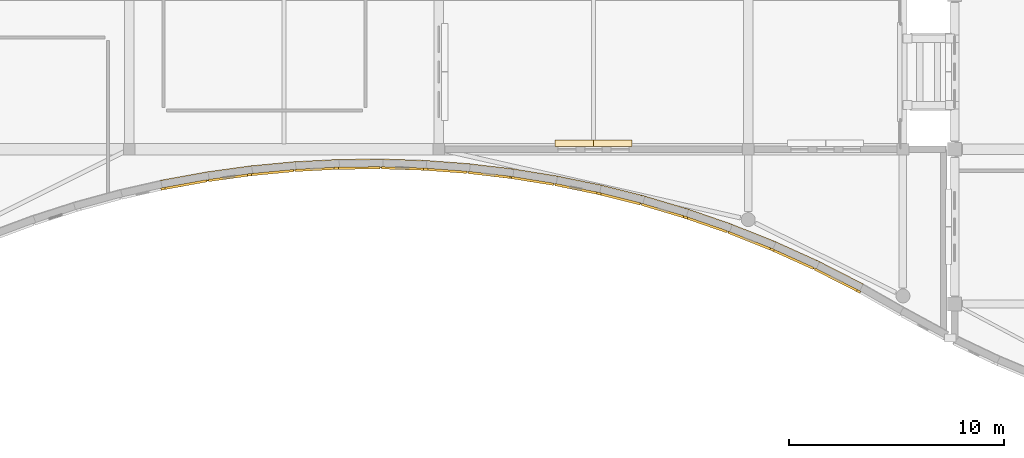
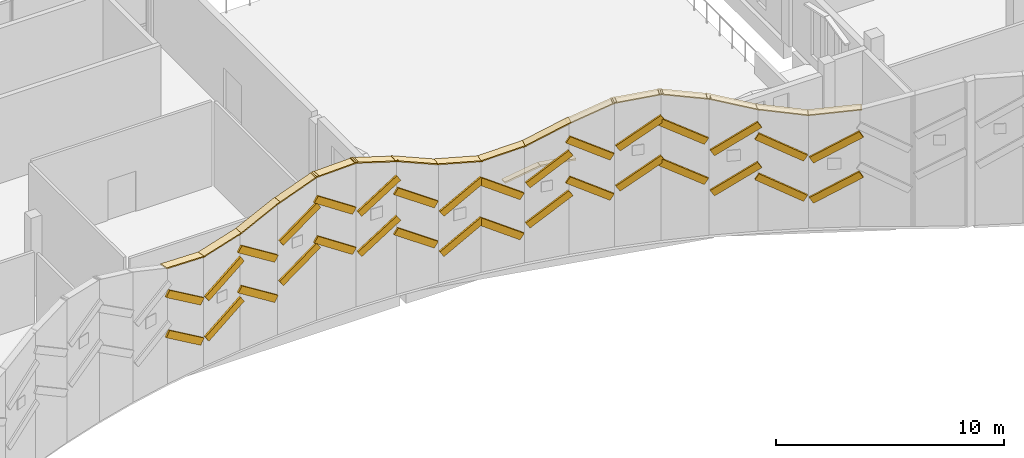
# One storey, part 108 of 116: 50 coverings.
"""IFC4 building model written with IfcOpenShell, lengths in metres."""

from ifc_helpers import new_model, si_unit, direction, frame, origin, place, context, subcontext, project, spatial, polyline, outline, extrude, material, layer, layer_set, type_object, element, save


model = new_model("IFC4")

# Units and contexts
model_context = context("Model", 3, precision=1e-05, world=origin(), true_north=direction((0.0, 1.0)))
body_context = subcontext(model_context, "Body", "Model", "MODEL_VIEW")
ifc_project = project(units=[si_unit("LENGTHUNIT", "METRE"), si_unit("AREAUNIT", "SQUARE_METRE"), si_unit("VOLUMEUNIT", "CUBIC_METRE"), si_unit("PLANEANGLEUNIT", "RADIAN"), si_unit("MASSUNIT", "GRAM", prefix="KILO")], contexts=[model_context])

# Site, building, storey
site_placement = place(None, origin())
site = spatial("IfcSite", under=ifc_project, at=site_placement, CompositionType="ELEMENT")
building_placement = place(site_placement, origin())
building = spatial("IfcBuilding", under=site, at=building_placement, Name="Cendralis Lancet Convention Centre", CompositionType="ELEMENT")
storey_placement = place(building_placement, frame((0.0, 0.0, 15.0)))
storey = spatial("IfcBuildingStorey", under=building, at=storey_placement, Name="L03", CompositionType="ELEMENT", Elevation=15.0)

# Coverings
ifc_material_1 = material(Name="Warm buff sandstone chevron cassette", Category="masonry")
ifc_layer_1 = layer(ifc_material_1, 0.06005859375, Name="Warm buff sandstone chevron cassette")
ifc_layer_set_1 = layer_set([ifc_layer_1], Name="Warm buff sandstone chevron cassette")
covering_type_1 = type_object("IfcCoveringType", Name="ARC-CV-CLAD1", PredefinedType="CLADDING", material=ifc_layer_set_1)
covering_1_placement = place(storey_placement, frame((95.27294921875, 12.5234375, 2.89306640625), z_axis=(0.540218512376, 0.098775845378, 0.835707658967), x_axis=(0.822163228386, 0.149849870904, -0.549174509678)))
element("IfcCovering", 1, at=covering_1_placement, inside=storey, type_object=covering_type_1, Name="L03 Diagonal Stone Chevron Relief CL-ST1 #0287", PredefinedType="CLADDING", context=body_context, shape_type="SweptSolid", body=[
    extrude(outline(polyline([(0.0, 0.0), (2.36727816971473, 1.8106176280507924e-17), (2.3672264781402927, 0.10994732982150186), (-5.1691574437417315e-05, 0.10994732982150184), (0.0, 0.0)])), origin(), (0.0, 0.0, -1.0), 0.360107421875),
])
covering_2_placement = place(storey_placement, frame((97.286865234375, 12.888916015625, 1.60693359375), z_axis=(-0.546765283479, -0.075310335798, 0.833892126179), x_axis=(0.82603341527, 0.114214414067, 0.551927408703)))
element("IfcCovering", 2, at=covering_2_placement, inside=storey, type_object=covering_type_1, Name="L03 Diagonal Stone Chevron Relief CL-ST1 #0293", PredefinedType="CLADDING", context=body_context, shape_type="SweptSolid", body=[
    extrude(outline(polyline([(0.0, 0.0), (2.3555576306989456, -3.366447745567491e-17), (2.3555185123740348, 0.11017558658850715), (0.00013466561092919174, 0.10990034102061025), (0.0, 0.0)])), origin(), (0.0, 0.0, -1.0), 0.360107421875),
])
covering_3_placement = place(storey_placement, frame((99.301025390625, 13.166015625, 3.47705078125), z_axis=(0.551183897876, 0.052844833018, 0.832708673154), x_axis=(0.828960105876, 0.078923824437, -0.553711272056)))
element("IfcCovering", 3, at=covering_3_placement, inside=storey, type_object=covering_type_1, Name="L03 Diagonal Stone Chevron Relief CL-ST1 #0299", PredefinedType="CLADDING", context=body_context, shape_type="SweptSolid", body=[
    extrude(outline(polyline([(0.0, 0.0), (2.3478724781473024, 8.40256683676266e-18), (2.3478215779079266, 0.11012067175197505), (-7.016875120143158e-05, 0.10987763488500937), (0.0, 0.0)])), origin(), (0.0, 0.0, -1.0), 0.360107421875),
])
covering_4_placement = place(storey_placement, frame((101.31591796875, 13.3564453125, 2.89501953125), z_axis=(-0.554363837926, -0.029566071356, 0.831749110384), x_axis=(0.830590287499, 0.043890863692, 0.555151660717)))
element("IfcCovering", 4, at=covering_4_placement, inside=storey, type_object=covering_type_1, Name="L03 Diagonal Stone Chevron Relief CL-ST1 #0305", PredefinedType="CLADDING", context=body_context, shape_type="SweptSolid", body=[
    extrude(outline(polyline([(0.0, 0.0), (2.3417903973232903, 1.5720931501039814e-18), (2.341745651659616, 0.11001941119744647), (-4.474566367464357e-05, 0.11001941119744647), (0.0, 0.0)])), origin(), (0.0, 0.0, -1.0), 0.360107421875),
])
covering_5_placement = place(storey_placement, frame((103.32958984375, 13.46142578125, 4.5419921875), z_axis=(0.555614467531, 0.005556144675, 0.831421489214), x_axis=(0.831376407589, 0.008660177623, -0.555642214224)))
element("IfcCovering", 5, at=covering_5_placement, inside=storey, type_object=covering_type_1, Name="L03 Diagonal Stone Chevron Relief CL-ST1 #0311", PredefinedType="CLADDING", context=body_context, shape_type="SweptSolid", body=[
    extrude(outline(polyline([(0.0, 0.0), (2.3398244143446307, -3.3068166260807885e-18), (2.339760986095707, 0.10987002348181216), (0.00013954450683504357, 0.10986751188847568), (0.0, 0.0)])), origin(), (0.0, 0.0, -1.0), 0.360107421875),
])
covering_6_placement = place(storey_placement, frame((105.343505859375, 13.48095703125, 2.972900390625), z_axis=(-0.55523109858, 0.017890779843, 0.831503666358), x_axis=(0.831088069029, -0.026287701467, 0.55551919703)))
element("IfcCovering", 6, at=covering_6_placement, inside=storey, type_object=covering_type_1, Name="L03 Diagonal Stone Chevron Relief CL-ST1 #0317", PredefinedType="CLADDING", context=body_context, shape_type="SweptSolid", body=[
    extrude(outline(polyline([(0.0, 0.0), (2.340342497780828, -2.6020852139652106e-18), (2.3402950776895706, 0.10991640566800805), (0.00015548226934535957, 0.1099241686054599), (0.0, 0.0)])), origin(), (0.0, 0.0, -1.0), 0.360107421875),
])
covering_7_placement = place(storey_placement, frame((107.357421875, 13.415771484375, 3.593017578125), z_axis=(0.553075734647, -0.041265116059, 0.832108419583), x_axis=(0.829836069915, -0.061453916362, -0.554612940015)))
element("IfcCovering", 7, at=covering_7_placement, inside=storey, type_object=covering_type_1, Name="L03 Diagonal Stone Chevron Relief CL-ST1 #0323", PredefinedType="CLADDING", context=body_context, shape_type="SweptSolid", body=[
    extrude(outline(polyline([(0.0, 0.0), (2.343963790342994, -1.4148838350935833e-17), (2.344115552533026, 0.10993284937089597), (-5.083450672504434e-05, 0.10991477747427505), (0.0, 0.0)])), origin(), (0.0, 0.0, -1.0), 0.360107421875),
])
covering_8_placement = place(storey_placement, frame((109.370849609375, 13.26513671875, 1.7060546875), z_axis=(-0.548958948721, 0.064943804201, 0.833322491545), x_axis=(0.827675011326, -0.096854482073, 0.552786834982)))
element("IfcCovering", 8, at=covering_8_placement, inside=storey, type_object=covering_type_1, Name="L03 Diagonal Stone Chevron Relief CL-ST1 #0329", PredefinedType="CLADDING", context=body_context, shape_type="SweptSolid", body=[
    extrude(outline(polyline([(0.0, 0.0), (2.351808592127162, -9.107298248878237e-18), (2.351924795162226, 0.1101376709805901), (0.00011620303506416733, 0.1101376709805901), (0.0, 0.0)])), origin(), (0.0, 0.0, -1.0), 0.360107421875),
])
covering_9_placement = place(storey_placement, frame((111.385498046875, 13.028076171875, 2.949951171875), z_axis=(0.543718944741, -0.086848245392, 0.834761697373), x_axis=(0.824218881, -0.132251403169, -0.550611298979)))
element("IfcCovering", 9, at=covering_9_placement, inside=storey, type_object=covering_type_1, Name="L03 Diagonal Stone Chevron Relief CL-ST1 #0335", PredefinedType="CLADDING", context=body_context, shape_type="SweptSolid", body=[
    extrude(outline(polyline([(0.0, 0.0), (2.3610848174231873, 3.198396408832238e-17), (2.361035969167337, 0.10977561554465676), (-8.113619607742067e-05, 0.11001668101012409), (0.0, 0.0)])), origin(), (0.0, 0.0, -1.0), 0.360107421875),
])
covering_10_placement = place(storey_placement, frame((113.39892578125, 12.703369140625, 2.173095703125), z_axis=(-0.53623383123, 0.110043450626, 0.836865411652), x_axis=(0.819829860674, -0.167996232386, 0.547408682294)))
element("IfcCovering", 10, at=covering_10_placement, inside=storey, type_object=covering_type_1, Name="L03 Diagonal Stone Chevron Relief CL-ST1 #0341", PredefinedType="CLADDING", context=body_context, shape_type="SweptSolid", body=[
    extrude(outline(polyline([(0.0, 0.0), (2.374568597966044, 5.838428698834441e-17), (2.374494952697113, 0.10988520753421605), (0.00012650850564823596, 0.10993423804605053), (0.0, 0.0)])), origin(), (0.0, 0.0, -1.0), 0.360107421875),
])
covering_11_placement = place(storey_placement, frame((115.41259765625, 12.289306640625, 4.200927734375), z_axis=(0.527422899245, -0.131553995464, 0.839356081547), x_axis=(0.81430104305, -0.203549740484, -0.543581929829)))
element("IfcCovering", 11, at=covering_11_placement, inside=storey, type_object=covering_type_1, Name="L03 Diagonal Stone Chevron Relief CL-ST1 #0347", PredefinedType="CLADDING", context=body_context, shape_type="SweptSolid", body=[
    extrude(outline(polyline([(0.0, 0.0), (2.3916336375181073, 1.5720931501039814e-18), (2.391586659271256, 0.10995817380137013), (-4.6978246851469424e-05, 0.10995817380137009), (0.0, 0.0)])), origin(), (0.0, 0.0, -1.0), 0.360107421875),
])
covering_12_placement = place(storey_placement, frame((117.42578125, 11.78466796875, 3.30908203125), z_axis=(-0.516107237855, 0.153695898179, 0.84262143927), x_axis=(0.807589879414, -0.240436015688, 0.538506368605)))
element("IfcCovering", 12, at=covering_12_placement, inside=storey, type_object=covering_type_1, Name="L03 Diagonal Stone Chevron Relief CL-ST1 #0353", PredefinedType="CLADDING", context=body_context, shape_type="SweptSolid", body=[
    extrude(outline(polyline([(0.0, 0.0), (2.413652810787318, -1.290742686343993e-16), (2.4137286739873107, 0.11007057012615422), (-6.260209876843281e-05, 0.1097669123276708), (0.0, 0.0)])), origin(), (0.0, 0.0, -1.0), 0.360107421875),
])
covering_13_placement = place(storey_placement, frame((119.440185546875, 11.18359375, 4.406982421875), z_axis=(0.503700474187, -0.174813693983, 0.846005912923), x_axis=(0.799454346081, -0.27676501759, -0.533173399159)))
element("IfcCovering", 13, at=covering_13_placement, inside=storey, type_object=covering_type_1, Name="L03 Diagonal Stone Chevron Relief CL-ST1 #0359", PredefinedType="CLADDING", context=body_context, shape_type="SweptSolid", body=[
    extrude(outline(polyline([(0.0, 0.0), (2.4382251851197183, -4.2392304944183223e-17), (2.4383946457506482, 0.10987099983241229), (-2.5718652781586693e-05, 0.10979108019061262), (0.0, 0.0)])), origin(), (0.0, 0.0, -1.0), 0.360107421875),
])
covering_14_placement = place(storey_placement, frame((121.453369140625, 10.485107421875, 2.448974609375), z_axis=(-0.489239124765, 0.194643522756, 0.850152326262), x_axis=(0.78997924583, -0.314152468909, 0.526536814892)))
element("IfcCovering", 14, at=covering_14_placement, inside=storey, type_object=covering_type_1, Name="L03 Diagonal Stone Chevron Relief CL-ST1 #0365", PredefinedType="CLADDING", context=body_context, shape_type="SweptSolid", body=[
    extrude(outline(polyline([(0.0, 0.0), (2.468997833974073, 1.5582695724047912e-16), (2.4690702581880943, 0.11012065401670039), (-4.3744432687425894e-05, 0.10980357161026215), (0.0, 0.0)])), origin(), (0.0, 0.0, -1.0), 0.360107421875),
])
covering_15_placement = place(storey_placement, frame((123.46630859375, 9.68310546875, 3.125), z_axis=(0.472534157954, -0.214369154584, 0.854843456505), x_axis=(0.779156200712, -0.351672677385, -0.518885288743)))
element("IfcCovering", 15, at=covering_15_placement, inside=storey, type_object=covering_type_1, Name="L03 Diagonal Stone Chevron Relief CL-ST1 #0371", PredefinedType="CLADDING", context=body_context, shape_type="SweptSolid", body=[
    extrude(outline(polyline([(0.0, 0.0), (2.505464803741935, 6.743737512859838e-17), (2.505644797786033, 0.10991628941852379), (0.00017999404409795722, 0.1099162894185237), (0.0, 0.0)])), origin(), (0.0, 0.0, -1.0), 0.360107421875),
])
covering_16_placement = place(storey_placement, frame((125.4794921875, 8.772705078125, 1.698974609375), z_axis=(-0.454427385646, 0.231180016638, 0.86026248964), x_axis=(0.766548339773, -0.390455174818, 0.509851350149)))
element("IfcCovering", 16, at=covering_16_placement, inside=storey, type_object=covering_type_1, Name="L03 Diagonal Stone Chevron Relief CL-ST1 #0377", PredefinedType="CLADDING", context=body_context, shape_type="SweptSolid", body=[
    extrude(outline(polyline([(0.0, 0.0), (2.5498585572938635, -5.128276275856436e-17), (2.54981054367365, 0.10984075325757975), (-4.8013620213734065e-05, 0.10984075325757978), (0.0, 0.0)])), origin(), (0.0, 0.0, -1.0), 0.360107421875),
])
for number, where, z_axis, x_axis, name in (
    (17, (113.39990234375, 14.820068359375, 3.27001953125), (-0.146387299434, 0.0, 0.989227354335), (0.0, -1.0, 0.0), "L03 Gothic Pointed Lancet Hood-Mould #0297L"),
    (18, (115.2099609375, 14.820068359375, 3.534912109375), (0.146387299434, 0.0, 0.989227354335), (0.0, -1.0, 0.0), "L03 Gothic Pointed Lancet Hood-Mould #0298R"),
):
    element("IfcCovering", number, at=place(storey_placement, frame(where, z_axis=z_axis, x_axis=x_axis)), inside=storey, type_object=covering_type_1, Name=name, PredefinedType="CLADDING", context=body_context, shape_type="SweptSolid", body=[
        extrude(outline(polyline([(0.0, 0.0), (0.28515625, 0.0), (0.28515625, 1.8095325151048234), (0.0, 1.8095325151048234), (0.0, 0.0)])), origin(), (0.0, 0.0, -1.0), 0.090087890625),
    ])
ifc_material_2 = material(Name="Dark Andean slate chevron cassette", Category="masonry")
ifc_layer_2 = layer(ifc_material_2, 0.06005859375, Name="Dark Andean slate chevron cassette")
ifc_layer_set_2 = layer_set([ifc_layer_2], Name="Dark Andean slate chevron cassette")
covering_type_2 = type_object("IfcCoveringType", Name="ARC-CV-CLAD2", PredefinedType="CLADDING", material=ifc_layer_set_2)
covering_17_placement = place(storey_placement, frame((95.141845703125, 12.54541015625, 6.27685546875), z_axis=(0.156219684707, 0.028483317218, 0.987311557083), x_axis=(0.971320294155, 0.176977391995, -0.158795116065)))
element("IfcCovering", 19, at=covering_17_placement, inside=storey, type_object=covering_type_2, Name="Wave Ribbon Sinusoidal Slate Coping W-047", PredefinedType="CLADDING", context=body_context, shape_type="SweptSolid", body=[
    extrude(outline(polyline([(0.0, 0.0), (2.2568679601809736, 2.0159384144652348e-17), (2.2569360990131475, 0.4198741737421693), (-0.00016899991151626825, 0.41991793712989467), (0.0, 0.0)])), origin(), (0.0, 0.0, -1.0), 0.06005859375),
])
covering_18_placement = place(storey_placement, frame((95.27294921875, 12.5234375, 5.04296875), z_axis=(0.540218512376, 0.098775845378, 0.835707658967), x_axis=(0.822163228386, 0.149849870904, -0.549174509678)))
element("IfcCovering", 20, at=covering_18_placement, inside=storey, type_object=covering_type_2, Name="L03 Diagonal Stone Chevron Relief CL-ST2 #0288", PredefinedType="CLADDING", context=body_context, shape_type="SweptSolid", body=[
    extrude(outline(polyline([(0.0, 0.0), (2.36727816971473, 1.8106176280507924e-17), (2.3672264781402927, 0.10994732982150186), (-5.1691574437417315e-05, 0.10994732982150184), (0.0, 0.0)])), origin(), (0.0, 0.0, -1.0), 0.360107421875),
])
covering_19_placement = place(storey_placement, frame((97.156982421875, 12.91650390625, 5.917236328125), z_axis=(-0.171569444286, -0.023761965288, 0.984885422165), x_axis=(0.975606701288, 0.134873499889, 0.173207111371)))
element("IfcCovering", 21, at=covering_19_placement, inside=storey, type_object=covering_type_2, Name="Wave Ribbon Sinusoidal Slate Coping W-048", PredefinedType="CLADDING", context=body_context, shape_type="SweptSolid", body=[
    extrude(outline(polyline([(0.0, 0.0), (2.2482003988942822, -6.12777515361651e-17), (2.248098168012032, 0.4199865832242709), (-0.00010223088225006643, 0.41998658322427096), (0.0, 0.0)])), origin(), (0.0, 0.0, -1.0), 0.06005859375),
])
covering_20_placement = place(storey_placement, frame((97.286865234375, 12.888916015625, 3.757080078125), z_axis=(-0.546693876883, -0.075300500399, 0.833939829735), x_axis=(0.826080669252, 0.114220947803, 0.551855327936)))
element("IfcCovering", 22, at=covering_20_placement, inside=storey, type_object=covering_type_2, Name="L03 Diagonal Stone Chevron Relief CL-ST2 #0294", PredefinedType="CLADDING", context=body_context, shape_type="SweptSolid", body=[
    extrude(outline(polyline([(0.0, 0.0), (2.3554228965692516, -1.9895109865109006e-17), (2.3553837760063394, 0.11017558659163833), (0.00013467331439465276, 0.10990034101510618), (0.0, 0.0)])), origin(), (0.0, 0.0, -1.0), 0.360107421875),
])
covering_21_placement = place(storey_placement, frame((99.17236328125, 13.198974609375, 6.25146484375), z_axis=(-0.362360837192, -0.034606306589, 0.931395204633), x_axis=(0.92719275626, 0.088377733663, 0.364009572582)))
element("IfcCovering", 23, at=covering_21_placement, inside=storey, type_object=covering_type_2, Name="Wave Ribbon Sinusoidal Slate Coping W-049", PredefinedType="CLADDING", context=body_context, shape_type="SweptSolid", body=[
    extrude(outline(polyline([(0.0, 0.0), (2.367452046020142, -2.225324959026498e-17), (2.3674936135886564, 0.41985891451669155), (-0.00018479785049476533, 0.4198820862999436), (0.0, 0.0)])), origin(), (0.0, 0.0, -1.0), 0.06005859375),
])
covering_22_placement = place(storey_placement, frame((99.301025390625, 13.166015625, 5.626953125), z_axis=(0.551183897876, 0.052844833018, 0.832708673154), x_axis=(0.828960105876, 0.078923824437, -0.553711272056)))
element("IfcCovering", 24, at=covering_22_placement, inside=storey, type_object=covering_type_2, Name="L03 Diagonal Stone Chevron Relief CL-ST2 #0300", PredefinedType="CLADDING", context=body_context, shape_type="SweptSolid", body=[
    extrude(outline(polyline([(0.0, 0.0), (2.3478724781473024, 8.40256683676266e-18), (2.3478215779079266, 0.11012067175197505), (-7.016875120143158e-05, 0.10987763488500937), (0.0, 0.0)])), origin(), (0.0, 0.0, -1.0), 0.360107421875),
])
covering_23_placement = place(storey_placement, frame((101.188720703125, 13.394775390625, 7.043701171875), z_axis=(-0.307715443963, -0.01629924645, 0.951338814572), x_axis=(0.95001366577, 0.050195382785, 0.308146813057)))
element("IfcCovering", 25, at=covering_23_placement, inside=storey, type_object=covering_type_2, Name="Wave Ribbon Sinusoidal Slate Coping W-050", PredefinedType="CLADDING", context=body_context, shape_type="SweptSolid", body=[
    extrude(outline(polyline([(0.0, 0.0), (2.3103080490649397, 2.2158381900172497e-18), (2.310255418215391, 0.4200215742785348), (-5.2630849548835484e-05, 0.4200215742785348), (0.0, 0.0)])), origin(), (0.0, 0.0, -1.0), 0.06005859375),
])
covering_24_placement = place(storey_placement, frame((101.31591796875, 13.3564453125, 5.044921875), z_axis=(-0.554363837926, -0.029566071356, 0.831749110384), x_axis=(0.830590287499, 0.043890863692, 0.555151660717)))
element("IfcCovering", 26, at=covering_24_placement, inside=storey, type_object=covering_type_2, Name="L03 Diagonal Stone Chevron Relief CL-ST2 #0306", PredefinedType="CLADDING", context=body_context, shape_type="SweptSolid", body=[
    extrude(outline(polyline([(0.0, 0.0), (2.3417903973232903, 1.5720931501039814e-18), (2.341745651659616, 0.11001941119744647), (-4.474566367464357e-05, 0.11001941119744647), (0.0, 0.0)])), origin(), (0.0, 0.0, -1.0), 0.360107421875),
])
covering_25_placement = place(storey_placement, frame((103.204345703125, 13.505126953125, 7.7216796875), z_axis=(-0.022792174933, -0.000238453443, 0.999740196202), x_axis=(0.999686718568, 0.010340436528, 0.022793422098)))
element("IfcCovering", 27, at=covering_25_placement, inside=storey, type_object=covering_type_2, Name="Wave Ribbon Sinusoidal Slate Coping W-051", PredefinedType="CLADDING", context=body_context, shape_type="SweptSolid", body=[
    extrude(outline(polyline([(0.0, 0.0), (2.1957562497004535, -5.474532756782153e-18), (2.195707795191472, 0.4201889934818078), (-5.0979029618748034e-05, 0.4199448659164207), (0.0, 0.0)])), origin(), (0.0, 0.0, -1.0), 0.06005859375),
])
covering_26_placement = place(storey_placement, frame((103.32958984375, 13.46142578125, 6.69189453125), z_axis=(0.555542334498, 0.005555423345, 0.831469693887), x_axis=(0.831424609642, 0.008660679726, -0.555570077585)))
element("IfcCovering", 28, at=covering_26_placement, inside=storey, type_object=covering_type_2, Name="L03 Diagonal Stone Chevron Relief CL-ST2 #0312", PredefinedType="CLADDING", context=body_context, shape_type="SweptSolid", body=[
    extrude(outline(polyline([(0.0, 0.0), (2.339688774196725, 3.198396408832238e-18), (2.3396253422701276, 0.10987002348512424), (0.00013955259724095573, 0.10986751188363503), (0.0, 0.0)])), origin(), (0.0, 0.0, -1.0), 0.360107421875),
])
covering_27_placement = place(storey_placement, frame((105.22021484375, 13.52978515625, 7.798095703125), z_axis=(0.279724779024, -0.008784610682, 0.96004004011), x_axis=(0.959561354297, -0.030313172903, -0.279862678626)))
element("IfcCovering", 29, at=covering_27_placement, inside=storey, type_object=covering_type_2, Name="Wave Ribbon Sinusoidal Slate Coping W-052", PredefinedType="CLADDING", context=body_context, shape_type="SweptSolid", body=[
    extrude(outline(polyline([(0.0, 0.0), (2.2873206688462857, -2.398119680266375e-17), (2.2872493721937537, 0.4198847494133784), (-7.869732951015784e-05, 0.42012876841899444), (0.0, 0.0)])), origin(), (0.0, 0.0, -1.0), 0.06005859375),
])
covering_28_placement = place(storey_placement, frame((105.343505859375, 13.48095703125, 5.123046875), z_axis=(-0.55523109858, 0.017890779843, 0.831503666358), x_axis=(0.831088069029, -0.026287701467, 0.55551919703)))
element("IfcCovering", 30, at=covering_28_placement, inside=storey, type_object=covering_type_2, Name="L03 Diagonal Stone Chevron Relief CL-ST2 #0318", PredefinedType="CLADDING", context=body_context, shape_type="SweptSolid", body=[
    extrude(outline(polyline([(0.0, 0.0), (2.340342497780828, -2.6020852139652106e-18), (2.3402950776895706, 0.10991640566800805), (0.00015548226934535957, 0.1099241686054599), (0.0, 0.0)])), origin(), (0.0, 0.0, -1.0), 0.360107421875),
])
covering_29_placement = place(storey_placement, frame((107.23583984375, 13.469970703125, 7.224609375), z_axis=(0.360698069721, -0.026905217322, 0.932294487692), x_axis=(0.92974611638, -0.068885405886, -0.361700096672)))
element("IfcCovering", 31, at=covering_29_placement, inside=storey, type_object=covering_type_2, Name="Wave Ribbon Sinusoidal Slate Coping W-053", PredefinedType="CLADDING", context=body_context, shape_type="SweptSolid", body=[
    extrude(outline(polyline([(0.0, 0.0), (2.3604079000293954, -6.044427111606687e-18), (2.360603248270679, 0.42010915153658257), (0.0001953482412834981, 0.4201091515365825), (0.0, 0.0)])), origin(), (0.0, 0.0, -1.0), 0.06005859375),
])
covering_30_placement = place(storey_placement, frame((107.357421875, 13.415771484375, 5.742919921875), z_axis=(0.553003812532, -0.041259749933, 0.832156485501), x_axis=(0.829884004563, -0.061457466184, -0.554540817994)))
element("IfcCovering", 32, at=covering_30_placement, inside=storey, type_object=covering_type_2, Name="L03 Diagonal Stone Chevron Relief CL-ST2 #0324", PredefinedType="CLADDING", context=body_context, shape_type="SweptSolid", body=[
    extrude(outline(polyline([(0.0, 0.0), (2.3438283897457315, 5.854691731421724e-18), (2.3439801607024053, 0.10993284936418482), (-5.083744287736475e-05, 0.10991477747830948), (0.0, 0.0)])), origin(), (0.0, 0.0, -1.0), 0.360107421875),
])
covering_31_placement = place(storey_placement, frame((109.251953125, 13.324462890625, 6.427978515625), z_axis=(0.191546979341, -0.022429388682, 0.981227128258), x_axis=(0.974577166348, -0.114043957619, -0.192855703997)))
element("IfcCovering", 33, at=covering_31_placement, inside=storey, type_object=covering_type_2, Name="Wave Ribbon Sinusoidal Slate Coping W-054", PredefinedType="CLADDING", context=body_context, shape_type="SweptSolid", body=[
    extrude(outline(polyline([(0.0, 0.0), (2.252078434153358, -2.452668602069552e-17), (2.252109770495088, 0.4198412429062734), (3.133634172941546e-05, 0.4198412429062734), (0.0, 0.0)])), origin(), (0.0, 0.0, -1.0), 0.06005859375),
])
covering_32_placement = place(storey_placement, frame((109.370849609375, 13.26513671875, 3.85595703125), z_axis=(-0.548958948721, 0.064943804201, 0.833322491545), x_axis=(0.827675011326, -0.096854482073, 0.552786834982)))
element("IfcCovering", 34, at=covering_32_placement, inside=storey, type_object=covering_type_2, Name="L03 Diagonal Stone Chevron Relief CL-ST2 #0330", PredefinedType="CLADDING", context=body_context, shape_type="SweptSolid", body=[
    extrude(outline(polyline([(0.0, 0.0), (2.351808592127162, -9.107298248878237e-18), (2.351924795162226, 0.1101376709805901), (0.00011620303506416733, 0.1101376709805901), (0.0, 0.0)])), origin(), (0.0, 0.0, -1.0), 0.360107421875),
])
covering_33_placement = place(storey_placement, frame((111.269287109375, 13.09228515625, 5.999267578125), z_axis=(-0.136949551219, 0.021965128138, 0.990334465505), x_axis=(0.977810738668, -0.156998450459, 0.138699841018)))
element("IfcCovering", 35, at=covering_33_placement, inside=storey, type_object=covering_type_2, Name="Wave Ribbon Sinusoidal Slate Coping W-055", PredefinedType="CLADDING", context=body_context, shape_type="SweptSolid", body=[
    extrude(outline(polyline([(0.0, 0.0), (2.2423861345212033, -1.2431902566851366e-16), (2.2424354422179595, 0.42011557823178786), (-0.00018941562811351786, 0.4200768752199956), (0.0, 0.0)])), origin(), (0.0, 0.0, -1.0), 0.06005859375),
])
covering_34_placement = place(storey_placement, frame((111.385498046875, 13.028076171875, 5.10009765625), z_axis=(0.543718944741, -0.086848245392, 0.834761697373), x_axis=(0.824218881, -0.132251403169, -0.550611298979)))
element("IfcCovering", 36, at=covering_34_placement, inside=storey, type_object=covering_type_2, Name="L03 Diagonal Stone Chevron Relief CL-ST2 #0336", PredefinedType="CLADDING", context=body_context, shape_type="SweptSolid", body=[
    extrude(outline(polyline([(0.0, 0.0), (2.3610848174231873, 3.198396408832238e-17), (2.361035969167337, 0.10977561554465676), (-8.113619607742067e-05, 0.11001668101012409), (0.0, 0.0)])), origin(), (0.0, 0.0, -1.0), 0.360107421875),
])
covering_35_placement = place(storey_placement, frame((113.285400390625, 12.772705078125, 6.260009765625), z_axis=(-0.342949469113, 0.070421671402, 0.936710440762), x_axis=(0.917632966477, -0.1880856253, 0.350105036224)))
element("IfcCovering", 37, at=covering_35_placement, inside=storey, type_object=covering_type_2, Name="Wave Ribbon Sinusoidal Slate Coping W-056", PredefinedType="CLADDING", context=body_context, shape_type="SweptSolid", body=[
    extrude(outline(polyline([(0.0, 0.0), (2.3883736425016493, -2.4245471082207093e-17), (2.3885144451800233, 0.41996024501248314), (0.00014080267837426885, 0.4199602450124831), (0.0, 0.0)])), origin(), (0.0, 0.0, -1.0), 0.06005859375),
])
covering_36_placement = place(storey_placement, frame((113.39892578125, 12.703369140625, 4.322998046875), z_axis=(-0.536304363966, 0.110057925032, 0.83681830903), x_axis=(0.819783716895, -0.167986776787, 0.5474806849)))
element("IfcCovering", 38, at=covering_36_placement, inside=storey, type_object=covering_type_2, Name="L03 Diagonal Stone Chevron Relief CL-ST2 #0342", PredefinedType="CLADDING", context=body_context, shape_type="SweptSolid", body=[
    extrude(outline(polyline([(0.0, 0.0), (2.374702245821043, 6.830473686658678e-18), (2.3746286046973313, 0.10988520753186476), (0.0001265013852954841, 0.10993423804911716), (0.0, 0.0)])), origin(), (0.0, 0.0, -1.0), 0.360107421875),
])
covering_37_placement = place(storey_placement, frame((115.30224609375, 12.36328125, 7.027099609375), z_axis=(-0.308944364261, 0.077212945698, 0.947940684225), x_axis=(0.919649605897, -0.229861138978, 0.318446948741)))
element("IfcCovering", 39, at=covering_37_placement, inside=storey, type_object=covering_type_2, Name="Wave Ribbon Sinusoidal Slate Coping W-057", PredefinedType="CLADDING", context=body_context, shape_type="SweptSolid", body=[
    extrude(outline(polyline([(0.0, 0.0), (2.3812748684737164, -2.925990612995255e-17), (2.381239625481773, 0.41999638647210163), (2.0875450189528078e-05, 0.4197595320612644), (0.0, 0.0)])), origin(), (0.0, 0.0, -1.0), 0.06005859375),
])
covering_38_placement = place(storey_placement, frame((115.41259765625, 12.289306640625, 6.35107421875), z_axis=(0.527422899245, -0.131553995464, 0.839356081547), x_axis=(0.81430104305, -0.203549740484, -0.543581929829)))
element("IfcCovering", 40, at=covering_38_placement, inside=storey, type_object=covering_type_2, Name="L03 Diagonal Stone Chevron Relief CL-ST2 #0348", PredefinedType="CLADDING", context=body_context, shape_type="SweptSolid", body=[
    extrude(outline(polyline([(0.0, 0.0), (2.3916336375181073, 1.5720931501039814e-18), (2.391586659271256, 0.10995817380137013), (-4.6978246851469424e-05, 0.10995817380137009), (0.0, 0.0)])), origin(), (0.0, 0.0, -1.0), 0.360107421875),
])
covering_39_placement = place(storey_placement, frame((117.318603515625, 11.86328125, 7.747314453125), z_axis=(-0.056245392842, 0.016764469728, 0.998276218458), x_axis=(0.956821793989, -0.284688362392, 0.058690636953)))
element("IfcCovering", 41, at=covering_39_placement, inside=storey, type_object=covering_type_2, Name="Wave Ribbon Sinusoidal Slate Coping W-058", PredefinedType="CLADDING", context=body_context, shape_type="SweptSolid", body=[
    extrude(outline(polyline([(0.0, 0.0), (2.2880003486051517, -8.057316207461807e-17), (2.288085405066114, 0.42005541272936947), (0.00031865553176012307, 0.42012503712860144), (0.0, 0.0)])), origin(), (0.0, 0.0, -1.0), 0.06005859375),
])
covering_40_placement = place(storey_placement, frame((117.42578125, 11.78466796875, 5.458984375), z_axis=(-0.516176060511, 0.153716393454, 0.842575542571), x_axis=(0.807545890848, -0.240422919393, 0.538578178174)))
element("IfcCovering", 42, at=covering_40_placement, inside=storey, type_object=covering_type_2, Name="L03 Diagonal Stone Chevron Relief CL-ST2 #0354", PredefinedType="CLADDING", context=body_context, shape_type="SweptSolid", body=[
    extrude(outline(polyline([(0.0, 0.0), (2.413784294605301, 1.5178830414797062e-16), (2.413860153673085, 0.11007057012663117), (-6.259868891902651e-05, 0.10976691232723765), (0.0, 0.0)])), origin(), (0.0, 0.0, -1.0), 0.360107421875),
])
covering_41_placement = place(storey_placement, frame((119.336669921875, 11.266845703125, 7.90087890625), z_axis=(0.229158055108, -0.079345624247, 0.970149915061), x_axis=(0.916770853431, -0.317367389945, -0.242505963017)))
element("IfcCovering", 43, at=covering_41_placement, inside=storey, type_object=covering_type_2, Name="Wave Ribbon Sinusoidal Slate Coping W-059", PredefinedType="CLADDING", context=body_context, shape_type="SweptSolid", body=[
    extrude(outline(polyline([(0.0, 0.0), (2.383961997504534, 1.3574211199518516e-16), (2.383987049856093, 0.4200953627837032), (2.5052351559029518e-05, 0.4200953627837032), (0.0, 0.0)])), origin(), (0.0, 0.0, -1.0), 0.06005859375),
])
covering_42_placement = place(storey_placement, frame((119.440185546875, 11.18359375, 6.556884765625), z_axis=(0.50363276707, -0.17479019563, 0.846051076144), x_axis=(0.799497024174, -0.276779792418, -0.533101730297)))
element("IfcCovering", 44, at=covering_42_placement, inside=storey, type_object=covering_type_2, Name="L03 Diagonal Stone Chevron Relief CL-ST2 #0360", PredefinedType="CLADDING", context=body_context, shape_type="SweptSolid", body=[
    extrude(outline(polyline([(0.0, 0.0), (2.438095019372889, -2.3852447794681098e-17), (2.4382644890506167, 0.10987099982308354), (-2.572002543987581e-05, 0.10979108019491948), (0.0, 0.0)])), origin(), (0.0, 0.0, -1.0), 0.360107421875),
])
covering_43_placement = place(storey_placement, frame((121.353759765625, 10.572998046875, 7.383056640625), z_axis=(0.318860929576, -0.126726779703, 0.939291238592), x_axis=(0.872828537865, -0.347042326869, -0.343120921614)))
element("IfcCovering", 45, at=covering_43_placement, inside=storey, type_object=covering_type_2, Name="Wave Ribbon Sinusoidal Slate Coping W-060", PredefinedType="CLADDING", context=body_context, shape_type="SweptSolid", body=[
    extrude(outline(polyline([(0.0, 0.0), (2.500919303844315, -9.096456227153382e-17), (2.5009677094639557, 0.4201274234101967), (-0.00016468728511154218, 0.4200372240873222), (0.0, 0.0)])), origin(), (0.0, 0.0, -1.0), 0.06005859375),
])
covering_44_placement = place(storey_placement, frame((121.453369140625, 10.485107421875, 4.59912109375), z_axis=(-0.489172715453, 0.194617101847, 0.850196587928), x_axis=(0.790020374691, -0.314168824697, 0.526465342792)))
element("IfcCovering", 46, at=covering_44_placement, inside=storey, type_object=covering_type_2, Name="L03 Diagonal Stone Chevron Relief CL-ST2 #0366", PredefinedType="CLADDING", context=body_context, shape_type="SweptSolid", body=[
    extrude(outline(polyline([(0.0, 0.0), (2.4688692906484135, 3.1929753979698106e-17), (2.468941718633108, 0.11012065401581408), (-4.3746710128272914e-05, 0.10980357161095342), (0.0, 0.0)])), origin(), (0.0, 0.0, -1.0), 0.360107421875),
])
covering_45_placement = place(storey_placement, frame((123.37109375, 9.775390625, 6.5810546875), z_axis=(0.187389541208, -0.084552359952, 0.978639902248), x_axis=(0.891995480467, -0.402591755437, -0.205581957574)))
element("IfcCovering", 47, at=covering_45_placement, inside=storey, type_object=covering_type_2, Name="Wave Ribbon Sinusoidal Slate Coping W-061", PredefinedType="CLADDING", context=body_context, shape_type="SweptSolid", body=[
    extrude(outline(polyline([(0.0, 0.0), (2.4438867402811186, 2.490276864927643e-17), (2.443952396444452, 0.42002746098434773), (-0.00015211617076543726, 0.41992702768457635), (0.0, 0.0)])), origin(), (0.0, 0.0, -1.0), 0.06005859375),
])
covering_46_placement = place(storey_placement, frame((123.46630859375, 9.68310546875, 5.27490234375), z_axis=(0.4724693065, -0.214339734168, 0.854886678322), x_axis=(0.779195595592, -0.351690458291, -0.518814075905)))
element("IfcCovering", 48, at=covering_46_placement, inside=storey, type_object=covering_type_2, Name="L03 Diagonal Stone Chevron Relief CL-ST2 #0372", PredefinedType="CLADDING", context=body_context, shape_type="SweptSolid", body=[
    extrude(outline(polyline([(0.0, 0.0), (2.505338131455992, -1.1275702593849246e-16), (2.5055181346007602, 0.10991628940362053), (0.00018000314476853546, 0.10991628940362048), (0.0, 0.0)])), origin(), (0.0, 0.0, -1.0), 0.360107421875),
])
covering_47_placement = place(storey_placement, frame((125.388427734375, 8.86962890625, 6.089599609375), z_axis=(-0.082777328523, 0.042185379169, 0.995674800157), x_axis=(0.887211382131, -0.451911796102, 0.092906899424)))
element("IfcCovering", 49, at=covering_47_placement, inside=storey, type_object=covering_type_2, Name="Wave Ribbon Sinusoidal Slate Coping W-062", PredefinedType="CLADDING", context=body_context, shape_type="SweptSolid", body=[
    extrude(outline(polyline([(0.0, 0.0), (2.4543087526812064, -2.6600222675574048e-17), (2.4544511398435613, 0.41982141468788403), (3.2057134009499944e-05, 0.42003895975637423), (0.0, 0.0)])), origin(), (0.0, 0.0, -1.0), 0.06005859375),
])
covering_48_placement = place(storey_placement, frame((125.4794921875, 8.772705078125, 3.84912109375), z_axis=(-0.45436422615, 0.231147885622, 0.86030448387), x_axis=(0.766585759284, -0.390474235118, 0.509780487438)))
element("IfcCovering", 50, at=covering_48_placement, inside=storey, type_object=covering_type_2, Name="L03 Diagonal Stone Chevron Relief CL-ST2 #0378", PredefinedType="CLADDING", context=body_context, shape_type="SweptSolid", body=[
    extrude(outline(polyline([(0.0, 0.0), (2.549734090516603, 2.4123498337802474e-17), (2.5496860745525765, 0.1098407532565551), (-4.8015964026995595e-05, 0.10984075325655522), (0.0, 0.0)])), origin(), (0.0, 0.0, -1.0), 0.360107421875),
])

save(model, "model.ifc")
